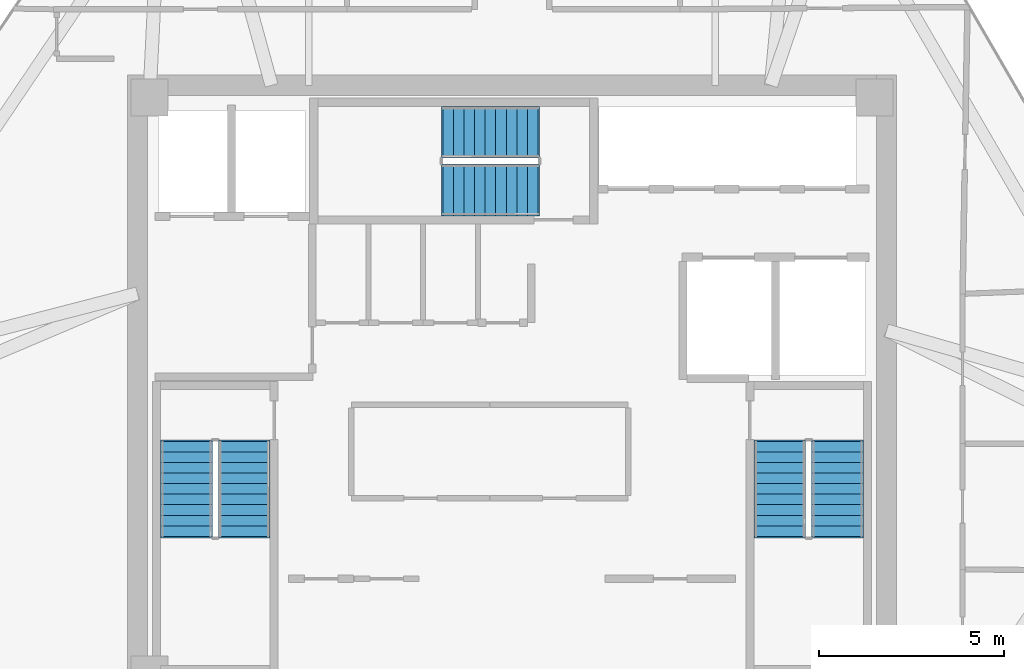
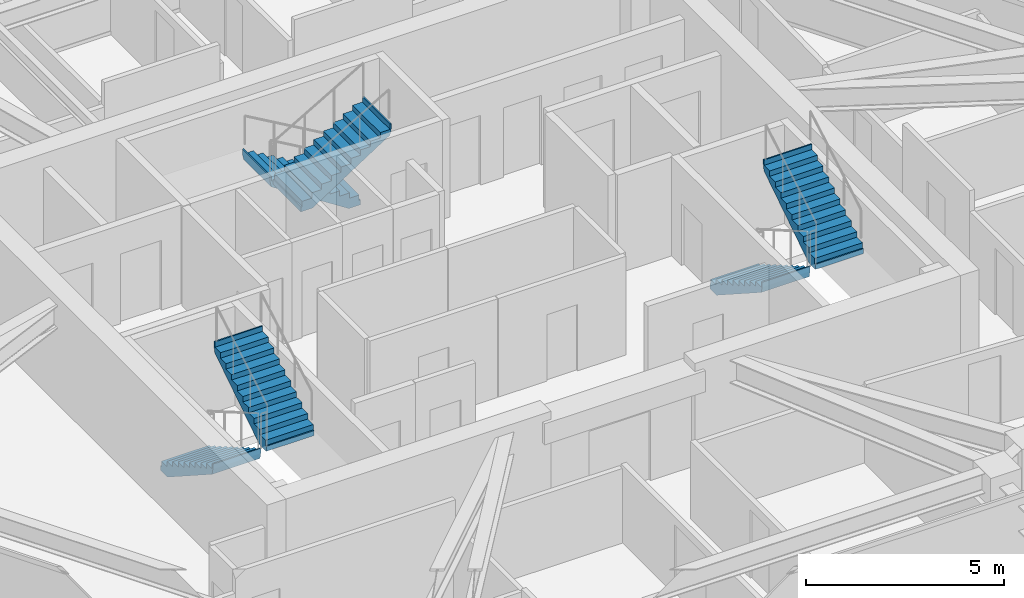
# One storey, part 12 of 13: 6 stair flights, 3 elements without a shape of their own.
"""IFC4 building model written with IfcOpenShell, lengths in metres."""

from ifc_helpers import new_model, si_unit, direction, frame, origin, place, context, subcontext, project, spatial, polyline, outline, extrude, material, type_object, element, aggregate, save


model = new_model("IFC4")

# Units and contexts
model_context = context("Model", 3, precision=1e-05, world=origin(), true_north=direction((0.0, 1.0)))
body_context = subcontext(model_context, "Body", "Model", "MODEL_VIEW")
ifc_project = project(units=[si_unit("LENGTHUNIT", "METRE"), si_unit("AREAUNIT", "SQUARE_METRE"), si_unit("VOLUMEUNIT", "CUBIC_METRE"), si_unit("PLANEANGLEUNIT", "RADIAN"), si_unit("MASSUNIT", "GRAM", prefix="KILO")], contexts=[model_context])

# Site, building, storey
site_placement = place(None, origin())
site = spatial("IfcSite", under=ifc_project, at=site_placement, CompositionType="ELEMENT")
building_placement = place(site_placement, origin())
building = spatial("IfcBuilding", under=site, at=building_placement, Name="Durnholm Broadcast Tower", CompositionType="ELEMENT")
storey_placement = place(building_placement, frame((0.0, 0.0, 234.800048828125)))
storey = spatial("IfcBuildingStorey", under=building, at=storey_placement, Name="L65", CompositionType="ELEMENT", Elevation=234.800048828125)

# Stair, stair flights
ifc_material = material(Name="Concrete C50/60", Category="concrete")
stair_type = type_object("IfcStairType", Name="STAIR-DL-20R1650", PredefinedType="HALF_TURN_STAIR", material=ifc_material)
stair_1_placement = place(storey_placement, origin())
stair_1 = element("IfcStair", 1, at=stair_1_placement, inside=storey, type_object=stair_type, Name="L65 ST-1", PredefinedType="HALF_TURN_STAIR")
stair_flight_type = type_object("IfcStairFlightType", Name="FLIGHT-DL-20R1650", PredefinedType="STRAIGHT", material=ifc_material)
stair_flight_1_placement = place(storey_placement, frame((-8.800048828125, -1.5, 0.0), z_axis=(0.0, 0.0, 1.0), x_axis=(0.0, -1.0, 0.0)))
stair_flight_1 = element("IfcStairFlight", 2, at=stair_flight_1_placement, type_object=stair_flight_type, Name="ST-1 flight 1", NumberOfRisers=10, NumberOfTreads=9, PredefinedType="STRAIGHT", RiserHeight=0.165, TreadLength=0.285, context=body_context, shape_type="SweptSolid", body=[
    extrude(outline(polyline([(-0.0400390625, -0.14990234375), (-0.0400390625, 0.0), (0.0, 0.0), (0.0, 0.1650390625), (0.284912109375, 0.1650390625), (0.284912109375, 0.330078125), (0.570068359375, 0.330078125), (0.570068359375, 0.4951171875), (0.85498046875, 0.4951171875), (0.85498046875, 0.659912109375), (1.139892578125, 0.659912109375), (1.139892578125, 0.824951171875), (1.425048828125, 0.824951171875), (1.425048828125, 0.989990234375), (1.7099609375, 0.989990234375), (1.7099609375, 1.155029296875), (1.9951171875, 1.155029296875), (1.9951171875, 1.320068359375), (2.280029296875, 1.320068359375), (2.280029296875, 1.485107421875), (2.56494140625, 1.485107421875), (2.56494140625, 1.64990234375), (2.60498046875, 1.64990234375), (2.60498046875, 1.5), (2.56494140625, 1.311767578125), (0.299072265625, -0.14990234375), (-0.0400390625, -0.14990234375)])), frame((0.0, 0.699951171875, 0.0), z_axis=(0.0, -1.0, 0.0), x_axis=(1.0, 0.0, 0.0)), (0.0, 0.0, 1.0), 1.39990234375),
])
stair_flight_2_placement = place(storey_placement, frame((-7.239990234375, -4.06494140625, 1.64990234375), z_axis=(0.0, 0.0, 1.0), x_axis=(0.0, 1.0, 0.0)))
stair_flight_2 = element("IfcStairFlight", 3, at=stair_flight_2_placement, type_object=stair_flight_type, Name="ST-1 flight 2", NumberOfRisers=10, NumberOfTreads=9, PredefinedType="STRAIGHT", RiserHeight=0.165, TreadLength=0.285, context=body_context, shape_type="SweptSolid", body=[
    extrude(outline(polyline([(-0.0400390625, -0.14990234375), (-0.0400390625, 0.0), (0.0, 0.0), (0.0, 0.1650390625), (0.284912109375, 0.1650390625), (0.284912109375, 0.330078125), (0.570068359375, 0.330078125), (0.570068359375, 0.4951171875), (0.85498046875, 0.4951171875), (0.85498046875, 0.659912109375), (1.139892578125, 0.659912109375), (1.139892578125, 0.824951171875), (1.425048828125, 0.824951171875), (1.425048828125, 0.989990234375), (1.7099609375, 0.989990234375), (1.7099609375, 1.155029296875), (1.9951171875, 1.155029296875), (1.9951171875, 1.320068359375), (2.280029296875, 1.320068359375), (2.280029296875, 1.485107421875), (2.56494140625, 1.485107421875), (2.56494140625, 1.64990234375), (2.60498046875, 1.64990234375), (2.60498046875, 1.5), (2.56494140625, 1.311767578125), (0.299072265625, -0.14990234375), (-0.0400390625, -0.14990234375)])), frame((0.0, 0.699951171875, 0.0), z_axis=(0.0, -1.0, 0.0), x_axis=(1.0, 0.0, 0.0)), (0.0, 0.0, 1.0), 1.39990234375),
])
aggregate(stair_1, [stair_flight_1, stair_flight_2])

stair_2_placement = place(storey_placement, origin())
stair_2 = element("IfcStair", 4, at=stair_2_placement, inside=storey, type_object=stair_type, Name="L65 ST-2", PredefinedType="HALF_TURN_STAIR")
stair_flight_3_placement = place(storey_placement, frame((7.239990234375, -1.5, 0.0), z_axis=(0.0, 0.0, 1.0), x_axis=(0.0, -1.0, 0.0)))
stair_flight_3 = element("IfcStairFlight", 5, at=stair_flight_3_placement, type_object=stair_flight_type, Name="ST-2 flight 1", NumberOfRisers=10, NumberOfTreads=9, PredefinedType="STRAIGHT", RiserHeight=0.165, TreadLength=0.285, context=body_context, shape_type="SweptSolid", body=[
    extrude(outline(polyline([(-0.0400390625, -0.14990234375), (-0.0400390625, 0.0), (0.0, 0.0), (0.0, 0.1650390625), (0.284912109375, 0.1650390625), (0.284912109375, 0.330078125), (0.570068359375, 0.330078125), (0.570068359375, 0.4951171875), (0.85498046875, 0.4951171875), (0.85498046875, 0.659912109375), (1.139892578125, 0.659912109375), (1.139892578125, 0.824951171875), (1.425048828125, 0.824951171875), (1.425048828125, 0.989990234375), (1.7099609375, 0.989990234375), (1.7099609375, 1.155029296875), (1.9951171875, 1.155029296875), (1.9951171875, 1.320068359375), (2.280029296875, 1.320068359375), (2.280029296875, 1.485107421875), (2.56494140625, 1.485107421875), (2.56494140625, 1.64990234375), (2.60498046875, 1.64990234375), (2.60498046875, 1.5), (2.56494140625, 1.311767578125), (0.299072265625, -0.14990234375), (-0.0400390625, -0.14990234375)])), frame((0.0, 0.699951171875, 0.0), z_axis=(0.0, -1.0, 0.0), x_axis=(1.0, 0.0, 0.0)), (0.0, 0.0, 1.0), 1.39990234375),
])
stair_flight_4_placement = place(storey_placement, frame((8.800048828125, -4.06494140625, 1.64990234375), z_axis=(0.0, 0.0, 1.0), x_axis=(0.0, 1.0, 0.0)))
stair_flight_4 = element("IfcStairFlight", 6, at=stair_flight_4_placement, type_object=stair_flight_type, Name="ST-2 flight 2", NumberOfRisers=10, NumberOfTreads=9, PredefinedType="STRAIGHT", RiserHeight=0.165, TreadLength=0.285, context=body_context, shape_type="SweptSolid", body=[
    extrude(outline(polyline([(-0.0400390625, -0.14990234375), (-0.0400390625, 0.0), (0.0, 0.0), (0.0, 0.1650390625), (0.284912109375, 0.1650390625), (0.284912109375, 0.330078125), (0.570068359375, 0.330078125), (0.570068359375, 0.4951171875), (0.85498046875, 0.4951171875), (0.85498046875, 0.659912109375), (1.139892578125, 0.659912109375), (1.139892578125, 0.824951171875), (1.425048828125, 0.824951171875), (1.425048828125, 0.989990234375), (1.7099609375, 0.989990234375), (1.7099609375, 1.155029296875), (1.9951171875, 1.155029296875), (1.9951171875, 1.320068359375), (2.280029296875, 1.320068359375), (2.280029296875, 1.485107421875), (2.56494140625, 1.485107421875), (2.56494140625, 1.64990234375), (2.60498046875, 1.64990234375), (2.60498046875, 1.5), (2.56494140625, 1.311767578125), (0.299072265625, -0.14990234375), (-0.0400390625, -0.14990234375)])), frame((0.0, 0.699951171875, 0.0), z_axis=(0.0, -1.0, 0.0), x_axis=(1.0, 0.0, 0.0)), (0.0, 0.0, 1.0), 1.39990234375),
])
aggregate(stair_2, [stair_flight_3, stair_flight_4])

stair_3_placement = place(storey_placement, origin())
stair_3 = element("IfcStair", 7, at=stair_3_placement, inside=storey, type_object=stair_type, Name="L65 ST-3", PredefinedType="HALF_TURN_STAIR")
stair_flight_5_placement = place(storey_placement, frame((0.699951171875, 6.860107421875, 0.0), z_axis=(0.0, 0.0, 1.0), x_axis=(-1.0, 0.0, 0.0)))
stair_flight_5 = element("IfcStairFlight", 8, at=stair_flight_5_placement, type_object=stair_flight_type, Name="ST-3 flight 1", NumberOfRisers=10, NumberOfTreads=9, PredefinedType="STRAIGHT", RiserHeight=0.165, TreadLength=0.285, context=body_context, shape_type="SweptSolid", body=[
    extrude(outline(polyline([(-0.0400390625, -0.14990234375), (-0.0400390625, 0.0), (0.0, 0.0), (0.0, 0.1650390625), (0.284912109375, 0.1650390625), (0.284912109375, 0.330078125), (0.570068359375, 0.330078125), (0.570068359375, 0.4951171875), (0.85498046875, 0.4951171875), (0.85498046875, 0.659912109375), (1.139892578125, 0.659912109375), (1.139892578125, 0.824951171875), (1.425048828125, 0.824951171875), (1.425048828125, 0.989990234375), (1.7099609375, 0.989990234375), (1.7099609375, 1.155029296875), (1.9951171875, 1.155029296875), (1.9951171875, 1.320068359375), (2.280029296875, 1.320068359375), (2.280029296875, 1.485107421875), (2.56494140625, 1.485107421875), (2.56494140625, 1.64990234375), (2.60498046875, 1.64990234375), (2.60498046875, 1.5), (2.56494140625, 1.311767578125), (0.299072265625, -0.14990234375), (-0.0400390625, -0.14990234375)])), frame((0.0, 0.699951171875, 0.0), z_axis=(0.0, -1.0, 0.0), x_axis=(1.0, 0.0, 0.0)), (0.0, 0.0, 1.0), 1.39990234375),
])
stair_flight_6_placement = place(storey_placement, frame((-1.864990234375, 5.300048828125, 1.64990234375), z_axis=(0.0, 0.0, 1.0), x_axis=(1.0, 0.0, 0.0)))
stair_flight_6 = element("IfcStairFlight", 9, at=stair_flight_6_placement, type_object=stair_flight_type, Name="ST-3 flight 2", NumberOfRisers=10, NumberOfTreads=9, PredefinedType="STRAIGHT", RiserHeight=0.165, TreadLength=0.285, context=body_context, shape_type="SweptSolid", body=[
    extrude(outline(polyline([(-0.0400390625, -0.14990234375), (-0.0400390625, 0.0), (0.0, 0.0), (0.0, 0.1650390625), (0.284912109375, 0.1650390625), (0.284912109375, 0.330078125), (0.570068359375, 0.330078125), (0.570068359375, 0.4951171875), (0.85498046875, 0.4951171875), (0.85498046875, 0.659912109375), (1.139892578125, 0.659912109375), (1.139892578125, 0.824951171875), (1.425048828125, 0.824951171875), (1.425048828125, 0.989990234375), (1.7099609375, 0.989990234375), (1.7099609375, 1.155029296875), (1.9951171875, 1.155029296875), (1.9951171875, 1.320068359375), (2.280029296875, 1.320068359375), (2.280029296875, 1.485107421875), (2.56494140625, 1.485107421875), (2.56494140625, 1.64990234375), (2.60498046875, 1.64990234375), (2.60498046875, 1.5), (2.56494140625, 1.311767578125), (0.299072265625, -0.14990234375), (-0.0400390625, -0.14990234375)])), frame((0.0, 0.699951171875, 0.0), z_axis=(0.0, -1.0, 0.0), x_axis=(1.0, 0.0, 0.0)), (0.0, 0.0, 1.0), 1.39990234375),
])
aggregate(stair_3, [stair_flight_5, stair_flight_6])

save(model, "model.ifc")
